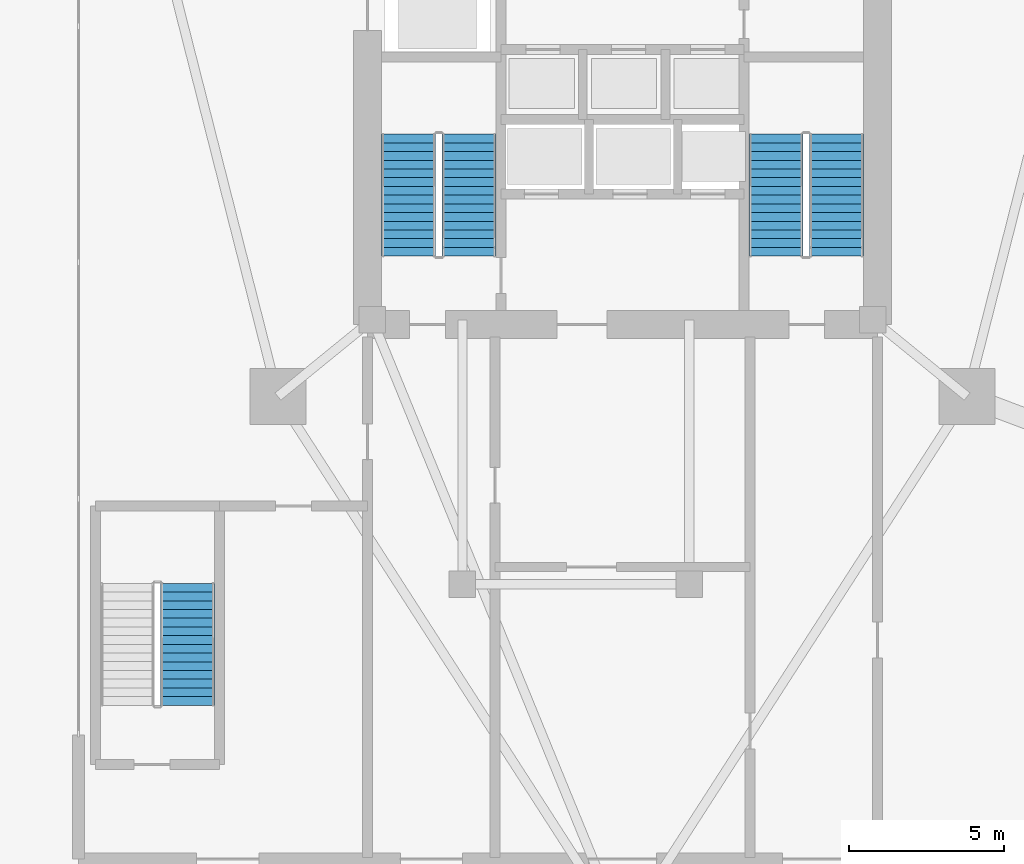
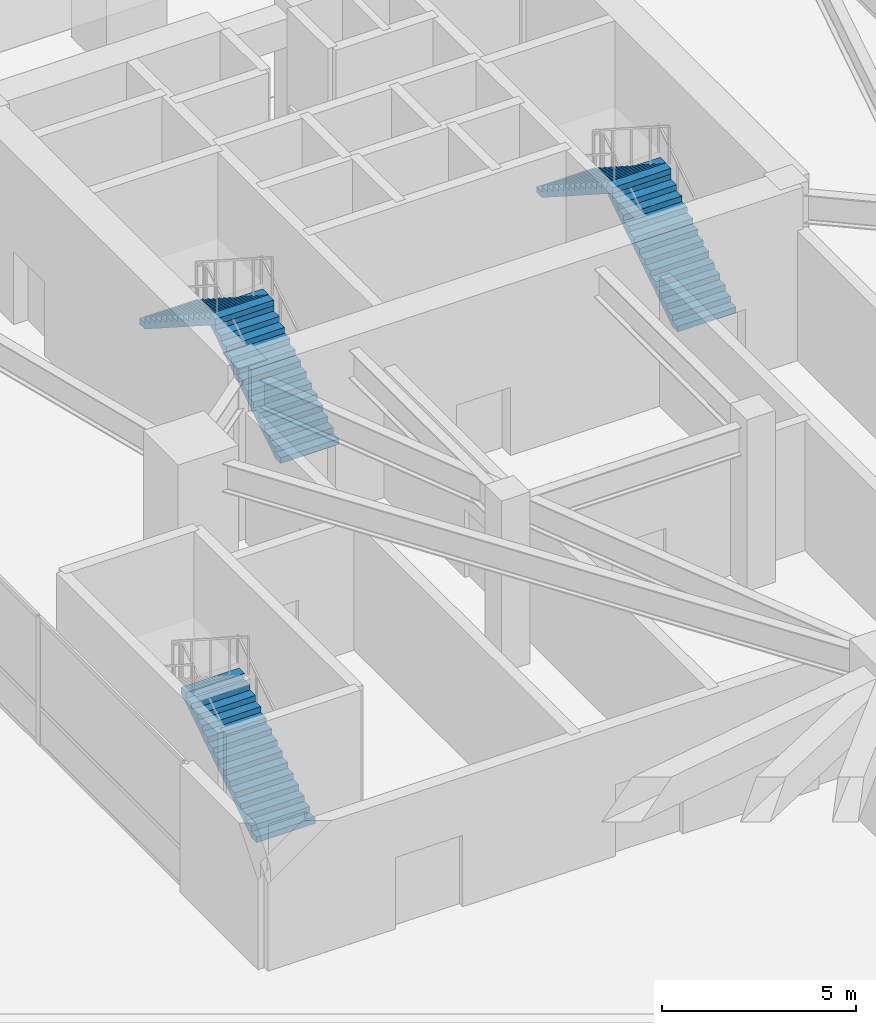
# One storey, part 14 of 19: 5 stair flights, 3 elements without a shape of their own.
"""IFC4 building model written with IfcOpenShell, lengths in metres."""

from ifc_helpers import new_model, si_unit, direction, frame, origin, place, context, subcontext, project, spatial, polyline, outline, extrude, material, type_object, element, aggregate, save


model = new_model("IFC4")

# Units and contexts
model_context = context("Model", 3, precision=1e-05, world=origin(), true_north=direction((0.0, 1.0)))
body_context = subcontext(model_context, "Body", "Model", "MODEL_VIEW")
ifc_project = project(units=[si_unit("LENGTHUNIT", "METRE"), si_unit("AREAUNIT", "SQUARE_METRE"), si_unit("VOLUMEUNIT", "CUBIC_METRE"), si_unit("PLANEANGLEUNIT", "RADIAN"), si_unit("MASSUNIT", "GRAM", prefix="KILO")], contexts=[model_context])

# Site, building, storey
site_placement = place(None, origin())
site = spatial("IfcSite", under=ifc_project, at=site_placement, CompositionType="ELEMENT")
building_placement = place(site_placement, origin())
building = spatial("IfcBuilding", under=site, at=building_placement, Name="Talyreon Biosciences Tower", CompositionType="ELEMENT")
storey_placement = place(building_placement, origin())
storey = spatial("IfcBuildingStorey", under=building, at=storey_placement, Name="L00", CompositionType="ELEMENT", Elevation=0.0)

# Stair, stair flights
ifc_material = material(Name="Concrete C40/50", Category="concrete")
stair_type = type_object("IfcStairType", Name="DoglegEscapeStair_5400", PredefinedType="HALF_TURN_STAIR", material=ifc_material)
stair_1_placement = place(storey_placement, origin())
stair_1 = element("IfcStair", 1, at=stair_1_placement, inside=storey, type_object=stair_type, Name="L00 Core Escape Stair 1", PredefinedType="HALF_TURN_STAIR")
stair_flight_type = type_object("IfcStairFlightType", Name="PrecastStairFlight_5400", PredefinedType="STRAIGHT", material=ifc_material)
stair_flight_1_placement = place(storey_placement, frame((61.06005859375, 63.39990234375, 0.0), z_axis=(0.0, 0.0, 1.0), x_axis=(0.0, 1.0, 0.0)))
stair_flight_1 = element("IfcStairFlight", 2, at=stair_flight_1_placement, type_object=stair_flight_type, Name="ST-1 flight 1", NumberOfRisers=15, NumberOfTreads=14, PredefinedType="STRAIGHT", RiserHeight=0.18, TreadLength=0.28, context=body_context, shape_type="SweptSolid", body=[
    extrude(outline(polyline([(0.0, 0.0), (0.0, 0.179931640625), (0.280029296875, 0.179931640625), (0.280029296875, 0.360107421875), (0.56005859375, 0.360107421875), (0.56005859375, 0.5400390625), (0.840087890625, 0.5400390625), (0.840087890625, 0.719970703125), (1.1201171875, 0.719970703125), (1.1201171875, 0.89990234375), (1.39990234375, 0.89990234375), (1.39990234375, 1.080078125), (1.679931640625, 1.080078125), (1.679931640625, 1.260009765625), (1.9599609375, 1.260009765625), (1.9599609375, 1.43994140625), (2.239990234375, 1.43994140625), (2.239990234375, 1.6201171875), (2.52001953125, 1.6201171875), (2.52001953125, 1.800048828125), (2.800048828125, 1.800048828125), (2.800048828125, 1.97998046875), (3.080078125, 1.97998046875), (3.080078125, 2.159912109375), (3.360107421875, 2.159912109375), (3.360107421875, 2.340087890625), (3.639892578125, 2.340087890625), (3.639892578125, 2.52001953125), (3.919921875, 2.52001953125), (3.919921875, 2.699951171875), (3.919921875, 2.341796875), (0.277099609375, 0.0), (0.0, 0.0)])), frame((0.0, 0.8701171875, 0.0), z_axis=(0.0, -1.0, 0.0), x_axis=(1.0, 0.0, 0.0)), (0.0, 0.0, 1.0), 1.739990234375),
])
stair_flight_2_placement = place(storey_placement, frame((59.1201171875, 67.320068359375, 2.699951171875), z_axis=(0.0, 0.0, 1.0), x_axis=(0.0, -1.0, 0.0)))
stair_flight_2 = element("IfcStairFlight", 3, at=stair_flight_2_placement, type_object=stair_flight_type, Name="ST-1 flight 2", NumberOfRisers=15, NumberOfTreads=14, PredefinedType="STRAIGHT", RiserHeight=0.18, TreadLength=0.28, context=body_context, shape_type="SweptSolid", body=[
    extrude(outline(polyline([(0.0, 0.0), (0.0, 0.179931640625), (0.280029296875, 0.179931640625), (0.280029296875, 0.360107421875), (0.56005859375, 0.360107421875), (0.56005859375, 0.5400390625), (0.840087890625, 0.5400390625), (0.840087890625, 0.719970703125), (1.1201171875, 0.719970703125), (1.1201171875, 0.89990234375), (1.39990234375, 0.89990234375), (1.39990234375, 1.080078125), (1.679931640625, 1.080078125), (1.679931640625, 1.260009765625), (1.9599609375, 1.260009765625), (1.9599609375, 1.43994140625), (2.239990234375, 1.43994140625), (2.239990234375, 1.6201171875), (2.52001953125, 1.6201171875), (2.52001953125, 1.800048828125), (2.800048828125, 1.800048828125), (2.800048828125, 1.97998046875), (3.080078125, 1.97998046875), (3.080078125, 2.159912109375), (3.360107421875, 2.159912109375), (3.360107421875, 2.340087890625), (3.639892578125, 2.340087890625), (3.639892578125, 2.52001953125), (3.919921875, 2.52001953125), (3.919921875, 2.699951171875), (3.919921875, 2.341796875), (0.277099609375, 0.0), (0.0, 0.0)])), frame((0.0, 0.8701171875, 0.0), z_axis=(0.0, -1.0, 0.0), x_axis=(1.0, 0.0, 0.0)), (0.0, 0.0, 1.0), 1.739990234375),
])
aggregate(stair_1, [stair_flight_1, stair_flight_2])

stair_2_placement = place(storey_placement, origin())
stair_2 = element("IfcStair", 4, at=stair_2_placement, inside=storey, type_object=stair_type, Name="L00 Core Escape Stair 2", PredefinedType="HALF_TURN_STAIR")
stair_flight_3_placement = place(storey_placement, frame((72.8798828125, 63.39990234375, 0.0), z_axis=(0.0, 0.0, 1.0), x_axis=(0.0, 1.0, 0.0)))
stair_flight_3 = element("IfcStairFlight", 5, at=stair_flight_3_placement, type_object=stair_flight_type, Name="ST-2 flight 1", NumberOfRisers=15, NumberOfTreads=14, PredefinedType="STRAIGHT", RiserHeight=0.18, TreadLength=0.28, context=body_context, shape_type="SweptSolid", body=[
    extrude(outline(polyline([(0.0, 0.0), (0.0, 0.179931640625), (0.280029296875, 0.179931640625), (0.280029296875, 0.360107421875), (0.56005859375, 0.360107421875), (0.56005859375, 0.5400390625), (0.840087890625, 0.5400390625), (0.840087890625, 0.719970703125), (1.1201171875, 0.719970703125), (1.1201171875, 0.89990234375), (1.39990234375, 0.89990234375), (1.39990234375, 1.080078125), (1.679931640625, 1.080078125), (1.679931640625, 1.260009765625), (1.9599609375, 1.260009765625), (1.9599609375, 1.43994140625), (2.239990234375, 1.43994140625), (2.239990234375, 1.6201171875), (2.52001953125, 1.6201171875), (2.52001953125, 1.800048828125), (2.800048828125, 1.800048828125), (2.800048828125, 1.97998046875), (3.080078125, 1.97998046875), (3.080078125, 2.159912109375), (3.360107421875, 2.159912109375), (3.360107421875, 2.340087890625), (3.639892578125, 2.340087890625), (3.639892578125, 2.52001953125), (3.919921875, 2.52001953125), (3.919921875, 2.699951171875), (3.919921875, 2.341796875), (0.277099609375, 0.0), (0.0, 0.0)])), frame((0.0, 0.8701171875, 0.0), z_axis=(0.0, -1.0, 0.0), x_axis=(1.0, 0.0, 0.0)), (0.0, 0.0, 1.0), 1.739990234375),
])
stair_flight_4_placement = place(storey_placement, frame((70.93994140625, 67.320068359375, 2.699951171875), z_axis=(0.0, 0.0, 1.0), x_axis=(0.0, -1.0, 0.0)))
stair_flight_4 = element("IfcStairFlight", 6, at=stair_flight_4_placement, type_object=stair_flight_type, Name="ST-2 flight 2", NumberOfRisers=15, NumberOfTreads=14, PredefinedType="STRAIGHT", RiserHeight=0.18, TreadLength=0.28, context=body_context, shape_type="SweptSolid", body=[
    extrude(outline(polyline([(0.0, 0.0), (0.0, 0.179931640625), (0.280029296875, 0.179931640625), (0.280029296875, 0.360107421875), (0.56005859375, 0.360107421875), (0.56005859375, 0.5400390625), (0.840087890625, 0.5400390625), (0.840087890625, 0.719970703125), (1.1201171875, 0.719970703125), (1.1201171875, 0.89990234375), (1.39990234375, 0.89990234375), (1.39990234375, 1.080078125), (1.679931640625, 1.080078125), (1.679931640625, 1.260009765625), (1.9599609375, 1.260009765625), (1.9599609375, 1.43994140625), (2.239990234375, 1.43994140625), (2.239990234375, 1.6201171875), (2.52001953125, 1.6201171875), (2.52001953125, 1.800048828125), (2.800048828125, 1.800048828125), (2.800048828125, 1.97998046875), (3.080078125, 1.97998046875), (3.080078125, 2.159912109375), (3.360107421875, 2.159912109375), (3.360107421875, 2.340087890625), (3.639892578125, 2.340087890625), (3.639892578125, 2.52001953125), (3.919921875, 2.52001953125), (3.919921875, 2.699951171875), (3.919921875, 2.341796875), (0.277099609375, 0.0), (0.0, 0.0)])), frame((0.0, 0.8701171875, 0.0), z_axis=(0.0, -1.0, 0.0), x_axis=(1.0, 0.0, 0.0)), (0.0, 0.0, 1.0), 1.739990234375),
])
aggregate(stair_2, [stair_flight_3, stair_flight_4])

# Stair, stair flight
stair_3_placement = place(storey_placement, origin())
stair_3 = element("IfcStair", 7, at=stair_3_placement, inside=storey, type_object=stair_type, Name="L00 Podium Escape Stair 3", PredefinedType="HALF_TURN_STAIR")
stair_flight_5_placement = place(storey_placement, frame((52.010009765625, 48.949951171875, 0.0), z_axis=(0.0, 0.0, 1.0), x_axis=(0.0, 1.0, 0.0)))
stair_flight_5 = element("IfcStairFlight", 8, at=stair_flight_5_placement, type_object=stair_flight_type, Name="ST-3 flight 1", NumberOfRisers=15, NumberOfTreads=14, PredefinedType="STRAIGHT", RiserHeight=0.18, TreadLength=0.28, context=body_context, shape_type="SweptSolid", body=[
    extrude(outline(polyline([(0.0, 0.0), (0.0, 0.179931640625), (0.280029296875, 0.179931640625), (0.280029296875, 0.360107421875), (0.56005859375, 0.360107421875), (0.56005859375, 0.5400390625), (0.840087890625, 0.5400390625), (0.840087890625, 0.719970703125), (1.1201171875, 0.719970703125), (1.1201171875, 0.89990234375), (1.39990234375, 0.89990234375), (1.39990234375, 1.080078125), (1.679931640625, 1.080078125), (1.679931640625, 1.260009765625), (1.9599609375, 1.260009765625), (1.9599609375, 1.43994140625), (2.239990234375, 1.43994140625), (2.239990234375, 1.6201171875), (2.52001953125, 1.6201171875), (2.52001953125, 1.800048828125), (2.800048828125, 1.800048828125), (2.800048828125, 1.97998046875), (3.080078125, 1.97998046875), (3.080078125, 2.159912109375), (3.360107421875, 2.159912109375), (3.360107421875, 2.340087890625), (3.639892578125, 2.340087890625), (3.639892578125, 2.52001953125), (3.919921875, 2.52001953125), (3.919921875, 2.699951171875), (3.919921875, 2.341796875), (0.277099609375, 0.0), (0.0, 0.0)])), frame((0.0, 0.8701171875, 0.0), z_axis=(0.0, -1.0, 0.0), x_axis=(1.0, 0.0, 0.0)), (0.0, 0.0, 1.0), 1.739990234375),
])
aggregate(stair_3, [stair_flight_5])

save(model, "model.ifc")
